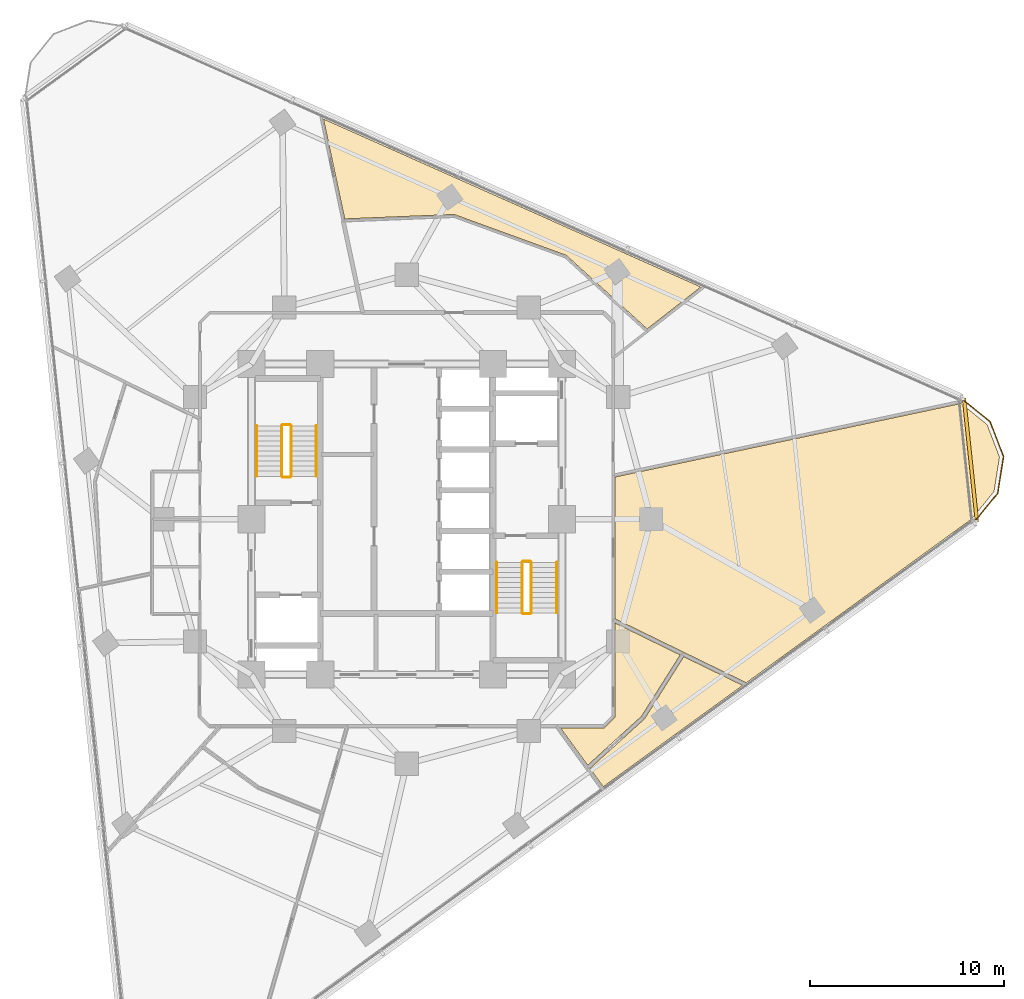
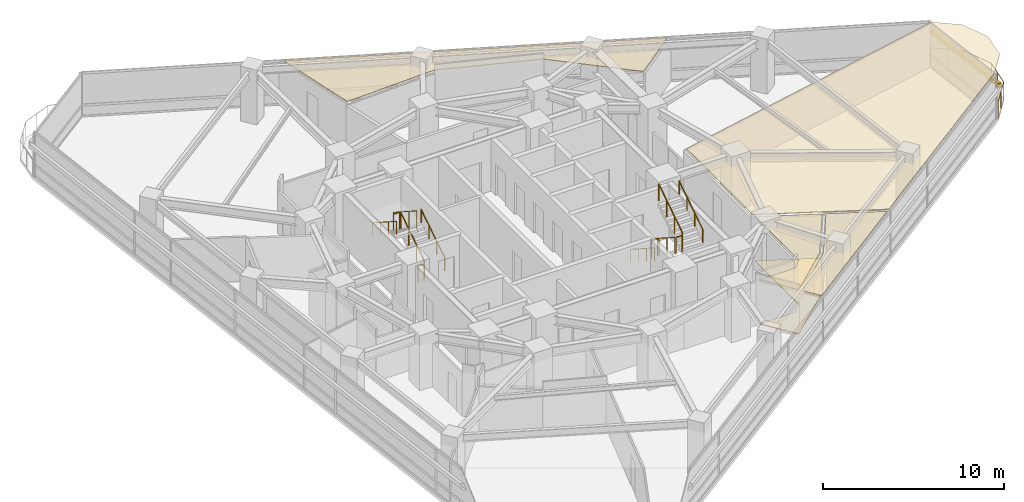
# One storey, part 13 of 14: 13 railings, 5 coverings, 1 shading device.
"""IFC4 building model written with IfcOpenShell, lengths in metres."""

from ifc_helpers import new_model, si_unit, direction, frame, origin, origin_2d, place, context, subcontext, project, spatial, polyline, rectangle, circle, outline, extrude, material, layer, layer_set, type_object, element, save


model = new_model("IFC4")

# Units and contexts
model_context = context("Model", 3, precision=1e-05, world=origin(), true_north=direction((0.0, 1.0)))
body_context = subcontext(model_context, "Body", "Model", "MODEL_VIEW")
ifc_project = project(units=[si_unit("LENGTHUNIT", "METRE"), si_unit("AREAUNIT", "SQUARE_METRE"), si_unit("VOLUMEUNIT", "CUBIC_METRE"), si_unit("PLANEANGLEUNIT", "RADIAN"), si_unit("MASSUNIT", "GRAM", prefix="KILO")], contexts=[model_context])

# Site, building, storey
site_placement = place(None, origin())
site = spatial("IfcSite", under=ifc_project, at=site_placement, CompositionType="ELEMENT")
building_placement = place(site_placement, origin())
building = spatial("IfcBuilding", under=site, at=building_placement, Name="Terralouvre Media Tower", CompositionType="ELEMENT")
storey_placement = place(building_placement, frame((0.0, 0.0, 173.10009765625)))
storey = spatial("IfcBuildingStorey", under=building, at=storey_placement, Name="L44", CompositionType="ELEMENT", Elevation=173.10009765625)

# Coverings
ifc_material_1 = material(Name="Resilient elastomer acoustic broadcast studio flooring")
ifc_layer_1 = layer(ifc_material_1, 0.050048828125, Name="Broadcast Studio Acoustic Floating Floor FL-AC1")
ifc_layer_set_1 = layer_set([ifc_layer_1], Name="Resilient elastomer acoustic broadcast studio flooring")
covering_type_1 = type_object("IfcCoveringType", Name="Broadcast Studio Acoustic Floating Floor FL-AC1", PredefinedType="FLOORING", material=ifc_layer_set_1)
covering_1_placement = place(storey_placement, frame((0.0, 0.0, 0.0), z_axis=(0.0, 0.0, 1.0), x_axis=(0.809016994375, 0.587785252292, 0.0)))
element("IfcCovering", 1, at=covering_1_placement, inside=storey, type_object=covering_type_1, Name="L44 Media Reference Library 5 Acoustic Floating Floor", PredefinedType="FLOORING", context=body_context, shape_type="SweptSolid", body=[
    extrude(outline(polyline([(3.822265625, -15.329345703125), (7.2998046875, -13.942626953125), (5.5498046875, -10.650146484375), (2.73095703125, -14.5302734375), (2.724853515625, -14.537841796875), (2.718017578125, -14.544921875), (2.71044921875, -14.55126953125), (2.7021484375, -14.556640625), (2.693603515625, -14.561279296875), (2.6845703125, -14.565185546875), (2.67529296875, -14.568115234375), (2.665771484375, -14.570068359375), (1.96728515625, -14.680908203125), (1.95751953125, -14.681884765625), (1.94775390625, -14.681884765625), (1.93798828125, -14.68115234375), (1.92822265625, -14.67919921875), (1.918701171875, -14.676513671875), (1.90966796875, -14.6728515625), (1.901123046875, -14.668212890625), (1.892822265625, -14.662841796875), (0.100341796875, -13.360595703125), (0.10009765625, -15.737548828125), (3.822265625, -15.329345703125)])), origin(), (0.0, 0.0, 1.0), 0.0498046875),
])
ifc_material_2 = material(Name="Perforated aluminium acoustic ceiling baffle", Category="aluminium")
ifc_layer_2 = layer(ifc_material_2, 0.0400390625, Name="Perforated Acoustic Metal Tile Ceiling CL-AC1")
ifc_layer_set_2 = layer_set([ifc_layer_2], Name="Perforated aluminium acoustic ceiling baffle")
covering_type_2 = type_object("IfcCoveringType", Name="Perforated Acoustic Metal Tile Ceiling CL-AC1", PredefinedType="CEILING", material=ifc_layer_set_2)
covering_2_placement = place(storey_placement, frame((0.0, 0.0, 2.97998046875), z_axis=(0.0, 0.0, 1.0), x_axis=(0.809016994375, 0.587785252292, 0.0)))
element("IfcCovering", 2, at=covering_2_placement, inside=storey, type_object=covering_type_2, Name="L44 Media Reference Library 5 Acoustic Ceiling", PredefinedType="CEILING", context=body_context, shape_type="SweptSolid", body=[
    extrude(outline(polyline([(3.822265625, -15.329345703125), (7.2998046875, -13.942626953125), (5.5498046875, -10.650146484375), (2.73095703125, -14.5302734375), (2.724853515625, -14.537841796875), (2.718017578125, -14.544921875), (2.71044921875, -14.55126953125), (2.7021484375, -14.556640625), (2.693603515625, -14.561279296875), (2.6845703125, -14.565185546875), (2.67529296875, -14.568115234375), (2.665771484375, -14.570068359375), (1.96728515625, -14.680908203125), (1.95751953125, -14.681884765625), (1.94775390625, -14.681884765625), (1.93798828125, -14.68115234375), (1.92822265625, -14.67919921875), (1.918701171875, -14.676513671875), (1.90966796875, -14.6728515625), (1.901123046875, -14.668212890625), (1.892822265625, -14.662841796875), (0.100341796875, -13.360595703125), (0.10009765625, -15.737548828125), (3.822265625, -15.329345703125)])), origin(), (0.0, 0.0, 1.0), 0.0400390625),
])
covering_3_placement = place(storey_placement, frame((0.0, 0.0, 2.97998046875), z_axis=(0.0, 0.0, 1.0), x_axis=(0.809016994375, 0.587785252292, 0.0)))
element("IfcCovering", 3, at=covering_3_placement, inside=storey, type_object=covering_type_2, Name="L44 Periodicals Reading Club 6 Acoustic Ceiling", PredefinedType="CEILING", context=body_context, shape_type="SweptSolid", body=[
    extrude(outline(polyline([(3.8837890625, -15.520263671875), (3.875244140625, -15.523193359375), (3.866455078125, -15.525390625), (3.857421875, -15.52685546875), (0.10009765625, -15.938720703125), (0.099609375, -17.105712890625), (8.98193359375, -17.10498046875), (7.394287109375, -14.1201171875), (3.8837890625, -15.520263671875)])), origin(), (0.0, 0.0, 1.0), 0.0400390625),
])
covering_4_placement = place(storey_placement, frame((0.0, 0.0, 2.97998046875), z_axis=(0.0, 0.0, 1.0), x_axis=(0.809016994375, 0.587785252292, 0.0)))
element("IfcCovering", 4, at=covering_4_placement, inside=storey, type_object=covering_type_2, Name="L44 Faculty Consultation Office 7 Acoustic Ceiling", PredefinedType="CEILING", context=body_context, shape_type="SweptSolid", body=[
    extrude(outline(polyline([(5.6806640625, -10.47021484375), (7.52880859375, -13.947021484375), (9.208251953125, -17.10498046875), (23.571044921875, -17.105224609375), (25.335693359375, -16.63232421875), (26.60693359375, -15.36181640625), (27.072509765625, -13.6259765625), (26.626953125, -11.964599609375), (9.97998046875, -4.552490234375), (5.6806640625, -10.47021484375)])), origin(), (0.0, 0.0, 1.0), 0.0400390625),
])
covering_5_placement = place(storey_placement, frame((0.0, 0.0, 2.97998046875), z_axis=(0.0, 0.0, 1.0), x_axis=(0.809016994375, 0.587785252292, 0.0)))
element("IfcCovering", 5, at=covering_5_placement, inside=storey, type_object=covering_type_2, Name="L44 Student Project Breakout Room 9 Acoustic Ceiling", PredefinedType="CEILING", context=body_context, shape_type="SweptSolid", body=[
    extrude(outline(polyline([(11.195068359375, 11.288330078125), (11.203125, 11.28271484375), (11.210205078125, 11.276123046875), (11.216796875, 11.26904296875), (11.22265625, 11.26123046875), (14.64501953125, 6.1875), (14.650146484375, 6.17919921875), (14.654296875, 6.17041015625), (14.65771484375, 6.1611328125), (14.66015625, 6.15185546875), (15.795654296875, 0.65185546875), (19.30419921875, 0.7744140625), (8.6611328125, 19.20849609375), (6.521728515625, 14.4013671875), (11.195068359375, 11.288330078125)])), origin(), (0.0, 0.0, 1.0), 0.0400390625),
])

# Railings
ifc_material_3 = material(Name="Stainless steel 316 handrail and balustrade", Category="steel")
ifc_layer_3 = layer(ifc_material_3, 0.06005859375, Name="Roof Edge Safety Guardrail GR-ROOF1")
ifc_layer_set_3 = layer_set([ifc_layer_3], Name="Stainless steel 316 handrail and balustrade")
railing_type_1 = type_object("IfcRailingType", Name="Roof Edge Safety Guardrail GR-ROOF1", PredefinedType="GUARDRAIL", material=ifc_layer_set_3)
railing_1_placement = place(storey_placement, frame((29.261474609375, -0.144775390625, 0.0)))
element("IfcRailing", 6, at=railing_1_placement, inside=storey, type_object=railing_type_1, Name="L44 Wind-Corner Perimeter Safety Guardrail C1", PredefinedType="GUARDRAIL", context=body_context, shape_type="SweptSolid", body=[
    extrude(circle(Radius=0.02099609375, at=origin_2d()), frame((0.0, 0.0, 1.12890625), z_axis=(0.629487951206, 0.777010244004, 0.0), x_axis=(-0.777010244004, 0.629487951206, 0.0)), (0.0, 0.0, 1.0), 1.914794921875),
    extrude(circle(Radius=0.02099609375, at=origin_2d()), frame((1.205322265625, 1.48779296875, 1.12890625), z_axis=(0.156493053434, 0.987679059324, 0.0), x_axis=(-0.987679059324, 0.156493053434, 0.0)), (0.0, 0.0, 1.0), 1.914306640625),
    extrude(circle(Radius=0.02099609375, at=origin_2d()), frame((1.5048828125, 3.37841796875, 1.12890625), z_axis=(-0.358380762009, 0.933575508152, 0.0), x_axis=(-0.933575508152, -0.358380762009, 0.0)), (0.0, 0.0, 1.0), 1.914306640625),
    extrude(circle(Radius=0.02099609375, at=origin_2d()), frame((0.81884765625, 5.16552734375, 1.12890625), z_axis=(-0.777298317119, 0.629132200896, 0.0), x_axis=(-0.629132200896, -0.777298317119, 0.0)), (0.0, 0.0, 1.0), 1.914794921875),
    extrude(circle(Radius=0.01904296875, at=origin_2d()), origin(), (0.0, 0.0, 1.0), 1.10791015625),
    extrude(circle(Radius=0.01904296875, at=origin_2d()), frame((0.6025390625, 0.743896484375, 0.0)), (0.0, 0.0, 1.0), 1.10791015625),
    extrude(circle(Radius=0.01904296875, at=origin_2d()), frame((1.205322265625, 1.48779296875, 0.0)), (0.0, 0.0, 1.0), 1.10791015625),
    extrude(circle(Radius=0.01904296875, at=origin_2d()), frame((1.35498046875, 2.43310546875, 0.0)), (0.0, 0.0, 1.0), 1.10791015625),
    extrude(circle(Radius=0.01904296875, at=origin_2d()), frame((1.5048828125, 3.37841796875, 0.0)), (0.0, 0.0, 1.0), 1.10791015625),
    extrude(circle(Radius=0.01904296875, at=origin_2d()), frame((1.161865234375, 4.27197265625, 0.0)), (0.0, 0.0, 1.0), 1.10791015625),
    extrude(circle(Radius=0.01904296875, at=origin_2d()), frame((0.81884765625, 5.16552734375, 0.0)), (0.0, 0.0, 1.0), 1.10791015625),
    extrude(circle(Radius=0.01904296875, at=origin_2d()), frame((0.07470703125, 5.767822265625, 0.0)), (0.0, 0.0, 1.0), 1.10791015625),
    extrude(circle(Radius=0.01904296875, at=origin_2d()), frame((-0.66943359375, 6.3701171875, 0.0)), (0.0, 0.0, 1.0), 1.10791015625),
])
ifc_material_4 = material(Name="Stainless steel 316 handrail and balustrade", Category="steel")
ifc_layer_4 = layer(ifc_material_4, 0.050048828125, Name="Stair Flight Wall Handrail HR-INT1")
ifc_layer_set_4 = layer_set([ifc_layer_4], Name="Stainless steel 316 handrail and balustrade")
railing_type_2 = type_object("IfcRailingType", Name="Stair Flight Wall Handrail HR-INT1", PredefinedType="HANDRAIL", material=ifc_layer_set_4)
railing_2_placement = place(storey_placement, frame((-4.64990234375, 2.219970703125, 0.16796875)))
element("IfcRailing", 7, at=railing_2_placement, inside=storey, type_object=railing_type_2, Name="L44 ST-01 stair handrail 1", PredefinedType="HANDRAIL", context=body_context, shape_type="SweptSolid", body=[
    extrude(circle(Radius=0.02392578125, at=origin_2d()), frame((0.0, 0.0, 0.8759765625), z_axis=(0.0, 0.839648411786, 0.543130320075), x_axis=(-1.0, 0.0, 0.0)), (0.0, 0.0, 1.0), 3.0966796875),
    extrude(circle(Radius=0.02099609375, at=origin_2d()), origin(), (0.0, 0.0, 1.0), 0.851806640625),
    extrude(circle(Radius=0.02099609375, at=origin_2d()), frame((0.0, 0.86669921875, 0.560546875)), (0.0, 0.0, 1.0), 0.851806640625),
    extrude(circle(Radius=0.02099609375, at=origin_2d()), frame((0.0, 1.7333984375, 1.121337890625)), (0.0, 0.0, 1.0), 0.851806640625),
    extrude(circle(Radius=0.02099609375, at=origin_2d()), frame((0.0, 2.60009765625, 1.681884765625)), (0.0, 0.0, 1.0), 0.851806640625),
])
for number, where, name in (
    (8, (-7.72998046875, 4.820068359375, 2.01806640625), "L44 ST-01 stair handrail 2"),
    (9, (4.64990234375, -2.219970703125, 0.16796875), "L44 ST-02 stair handrail 1"),
):
    element("IfcRailing", number, at=place(storey_placement, frame(where)), inside=storey, type_object=railing_type_2, Name=name, PredefinedType="HANDRAIL", context=body_context, shape_type="SweptSolid", body=[
        extrude(circle(Radius=0.02392578125, at=origin_2d()), frame((0.0, 0.0, 0.8759765625), z_axis=(0.0, -0.839648411786, 0.543130320075), x_axis=(1.0, 0.0, 0.0)), (0.0, 0.0, 1.0), 3.0966796875),
        extrude(circle(Radius=0.02099609375, at=origin_2d()), origin(), (0.0, 0.0, 1.0), 0.851806640625),
        extrude(circle(Radius=0.02099609375, at=origin_2d()), frame((0.0, -0.86669921875, 0.560546875)), (0.0, 0.0, 1.0), 0.851806640625),
        extrude(circle(Radius=0.02099609375, at=origin_2d()), frame((0.0, -1.7333984375, 1.121337890625)), (0.0, 0.0, 1.0), 0.851806640625),
        extrude(circle(Radius=0.02099609375, at=origin_2d()), frame((0.0, -2.60009765625, 1.681884765625)), (0.0, 0.0, 1.0), 0.851806640625),
    ])
railing_3_placement = place(storey_placement, frame((7.72998046875, -4.820068359375, 2.01806640625)))
element("IfcRailing", 10, at=railing_3_placement, inside=storey, type_object=railing_type_2, Name="L44 ST-02 stair handrail 2", PredefinedType="HANDRAIL", context=body_context, shape_type="SweptSolid", body=[
    extrude(circle(Radius=0.02392578125, at=origin_2d()), frame((0.0, 0.0, 0.8759765625), z_axis=(0.0, 0.839648411786, 0.543130320075), x_axis=(-1.0, 0.0, 0.0)), (0.0, 0.0, 1.0), 3.0966796875),
    extrude(circle(Radius=0.02099609375, at=origin_2d()), origin(), (0.0, 0.0, 1.0), 0.851806640625),
    extrude(circle(Radius=0.02099609375, at=origin_2d()), frame((0.0, 0.86669921875, 0.560546875)), (0.0, 0.0, 1.0), 0.851806640625),
    extrude(circle(Radius=0.02099609375, at=origin_2d()), frame((0.0, 1.7333984375, 1.121337890625)), (0.0, 0.0, 1.0), 0.851806640625),
    extrude(circle(Radius=0.02099609375, at=origin_2d()), frame((0.0, 2.60009765625, 1.681884765625)), (0.0, 0.0, 1.0), 0.851806640625),
])
ifc_material_5 = material(Name="Stainless steel 316 handrail and balustrade", Category="steel")
ifc_layer_5 = layer(ifc_material_5, 0.050048828125, Name="Stairwell Safety Guardrail GR-INT1")
ifc_layer_set_5 = layer_set([ifc_layer_5], Name="Stainless steel 316 handrail and balustrade")
railing_type_3 = type_object("IfcRailingType", Name="Stairwell Safety Guardrail GR-INT1", PredefinedType="GUARDRAIL", material=ifc_layer_set_5)
railing_4_placement = place(storey_placement, frame((-5.949951171875, 2.219970703125, 0.16796875)))
element("IfcRailing", 11, at=railing_4_placement, inside=storey, type_object=railing_type_3, Name="L44 ST-01 stair guard 1", PredefinedType="GUARDRAIL", context=body_context, shape_type="SweptSolid", body=[
    extrude(circle(Radius=0.02392578125, at=origin_2d()), frame((0.0, 0.0, 1.1259765625), z_axis=(0.0, 0.839648411786, 0.543130320075), x_axis=(-1.0, 0.0, 0.0)), (0.0, 0.0, 1.0), 3.0966796875),
    extrude(circle(Radius=0.02099609375, at=origin_2d()), origin(), (0.0, 0.0, 1.0), 1.101806640625),
    extrude(circle(Radius=0.02099609375, at=origin_2d()), frame((0.0, 0.86669921875, 0.560546875)), (0.0, 0.0, 1.0), 1.101806640625),
    extrude(circle(Radius=0.02099609375, at=origin_2d()), frame((0.0, 1.7333984375, 1.121337890625)), (0.0, 0.0, 1.0), 1.101806640625),
    extrude(circle(Radius=0.02099609375, at=origin_2d()), frame((0.0, 2.60009765625, 1.681884765625)), (0.0, 0.0, 1.0), 1.101806640625),
])
railing_5_placement = place(storey_placement, frame((-6.0, 4.8701171875, 1.849853515625)))
element("IfcRailing", 12, at=railing_5_placement, inside=storey, type_object=railing_type_3, Name="L44 ST-01 stair guard 2", PredefinedType="GUARDRAIL", context=body_context, shape_type="SweptSolid", body=[
    extrude(circle(Radius=0.02392578125, at=origin_2d()), frame((0.0, 0.0, 1.1259765625), z_axis=(-1.0, 0.0, 0.0), x_axis=(0.0, -1.0, 0.0)), (0.0, 0.0, 1.0), 0.3798828125),
    extrude(circle(Radius=0.02099609375, at=origin_2d()), origin(), (0.0, 0.0, 1.0), 1.101806640625),
    extrude(circle(Radius=0.02099609375, at=origin_2d()), frame((-0.3798828125, 0.0, 0.0)), (0.0, 0.0, 1.0), 1.101806640625),
])
railing_6_placement = place(storey_placement, frame((-6.429931640625, 4.820068359375, 2.01806640625)))
element("IfcRailing", 13, at=railing_6_placement, inside=storey, type_object=railing_type_3, Name="L44 ST-01 stair guard 3", PredefinedType="GUARDRAIL", context=body_context, shape_type="SweptSolid", body=[
    extrude(circle(Radius=0.02392578125, at=origin_2d()), frame((0.0, 0.0, 1.1259765625), z_axis=(0.0, -0.839648411786, 0.543130320075), x_axis=(1.0, 0.0, 0.0)), (0.0, 0.0, 1.0), 3.0966796875),
    extrude(circle(Radius=0.02099609375, at=origin_2d()), origin(), (0.0, 0.0, 1.0), 1.101806640625),
    extrude(circle(Radius=0.02099609375, at=origin_2d()), frame((0.0, -0.86669921875, 0.560546875)), (0.0, 0.0, 1.0), 1.101806640625),
    extrude(circle(Radius=0.02099609375, at=origin_2d()), frame((0.0, -1.7333984375, 1.121337890625)), (0.0, 0.0, 1.0), 1.101806640625),
    extrude(circle(Radius=0.02099609375, at=origin_2d()), frame((0.0, -2.60009765625, 1.681884765625)), (0.0, 0.0, 1.0), 1.101806640625),
])
railing_7_placement = place(storey_placement, frame((-6.0, 2.169921875, 0.0)))
element("IfcRailing", 14, at=railing_7_placement, inside=storey, type_object=railing_type_3, Name="L44 ST-01 stair guard 4", PredefinedType="GUARDRAIL", context=body_context, shape_type="SweptSolid", body=[
    extrude(circle(Radius=0.02392578125, at=origin_2d()), frame((0.0, 0.0, 1.1259765625), z_axis=(-1.0, 0.0, 0.0), x_axis=(0.0, -1.0, 0.0)), (0.0, 0.0, 1.0), 0.3798828125),
    extrude(circle(Radius=0.02099609375, at=origin_2d()), origin(), (0.0, 0.0, 1.0), 1.101806640625),
    extrude(circle(Radius=0.02099609375, at=origin_2d()), frame((-0.3798828125, 0.0, 0.0)), (0.0, 0.0, 1.0), 1.101806640625),
])
railing_8_placement = place(storey_placement, frame((5.949951171875, -2.219970703125, 0.16796875)))
element("IfcRailing", 15, at=railing_8_placement, inside=storey, type_object=railing_type_3, Name="L44 ST-02 stair guard 1", PredefinedType="GUARDRAIL", context=body_context, shape_type="SweptSolid", body=[
    extrude(circle(Radius=0.02392578125, at=origin_2d()), frame((0.0, 0.0, 1.1259765625), z_axis=(0.0, -0.839648411786, 0.543130320075), x_axis=(1.0, 0.0, 0.0)), (0.0, 0.0, 1.0), 3.0966796875),
    extrude(circle(Radius=0.02099609375, at=origin_2d()), origin(), (0.0, 0.0, 1.0), 1.101806640625),
    extrude(circle(Radius=0.02099609375, at=origin_2d()), frame((0.0, -0.86669921875, 0.560546875)), (0.0, 0.0, 1.0), 1.101806640625),
    extrude(circle(Radius=0.02099609375, at=origin_2d()), frame((0.0, -1.7333984375, 1.121337890625)), (0.0, 0.0, 1.0), 1.101806640625),
    extrude(circle(Radius=0.02099609375, at=origin_2d()), frame((0.0, -2.60009765625, 1.681884765625)), (0.0, 0.0, 1.0), 1.101806640625),
])
railing_9_placement = place(storey_placement, frame((6.0, -4.8701171875, 1.849853515625)))
element("IfcRailing", 16, at=railing_9_placement, inside=storey, type_object=railing_type_3, Name="L44 ST-02 stair guard 2", PredefinedType="GUARDRAIL", context=body_context, shape_type="SweptSolid", body=[
    extrude(circle(Radius=0.02392578125, at=origin_2d()), frame((0.0, 0.0, 1.1259765625), z_axis=(1.0, 0.0, 0.0), x_axis=(0.0, 1.0, 0.0)), (0.0, 0.0, 1.0), 0.3798828125),
    extrude(circle(Radius=0.02099609375, at=origin_2d()), origin(), (0.0, 0.0, 1.0), 1.101806640625),
    extrude(circle(Radius=0.02099609375, at=origin_2d()), frame((0.3798828125, 0.0, 0.0)), (0.0, 0.0, 1.0), 1.101806640625),
])
railing_10_placement = place(storey_placement, frame((6.429931640625, -4.820068359375, 2.01806640625)))
element("IfcRailing", 17, at=railing_10_placement, inside=storey, type_object=railing_type_3, Name="L44 ST-02 stair guard 3", PredefinedType="GUARDRAIL", context=body_context, shape_type="SweptSolid", body=[
    extrude(circle(Radius=0.02392578125, at=origin_2d()), frame((0.0, 0.0, 1.1259765625), z_axis=(0.0, 0.839648411786, 0.543130320075), x_axis=(-1.0, 0.0, 0.0)), (0.0, 0.0, 1.0), 3.0966796875),
    extrude(circle(Radius=0.02099609375, at=origin_2d()), origin(), (0.0, 0.0, 1.0), 1.101806640625),
    extrude(circle(Radius=0.02099609375, at=origin_2d()), frame((0.0, 0.86669921875, 0.560546875)), (0.0, 0.0, 1.0), 1.101806640625),
    extrude(circle(Radius=0.02099609375, at=origin_2d()), frame((0.0, 1.7333984375, 1.121337890625)), (0.0, 0.0, 1.0), 1.101806640625),
    extrude(circle(Radius=0.02099609375, at=origin_2d()), frame((0.0, 2.60009765625, 1.681884765625)), (0.0, 0.0, 1.0), 1.101806640625),
])
railing_11_placement = place(storey_placement, frame((6.0, -2.169921875, 0.0)))
element("IfcRailing", 18, at=railing_11_placement, inside=storey, type_object=railing_type_3, Name="L44 ST-02 stair guard 4", PredefinedType="GUARDRAIL", context=body_context, shape_type="SweptSolid", body=[
    extrude(circle(Radius=0.02392578125, at=origin_2d()), frame((0.0, 0.0, 1.1259765625), z_axis=(1.0, 0.0, 0.0), x_axis=(0.0, 1.0, 0.0)), (0.0, 0.0, 1.0), 0.3798828125),
    extrude(circle(Radius=0.02099609375, at=origin_2d()), origin(), (0.0, 0.0, 1.0), 1.101806640625),
    extrude(circle(Radius=0.02099609375, at=origin_2d()), frame((0.3798828125, 0.0, 0.0)), (0.0, 0.0, 1.0), 1.101806640625),
])

# Shading device
ifc_material_6 = material(Name="Extruded terracotta baguette sunshade louvres", Category="masonry")
shading_device_type = type_object("IfcShadingDeviceType", Name="Terracotta Baguette Sunshade Louvre Screen TB-LV1", PredefinedType="USERDEFINED", material=ifc_material_6)
shading_device_placement = place(storey_placement, frame((29.060791015625, 3.054443359375, 2.02392578125), z_axis=(0.0, 0.0, 1.0), x_axis=(-0.10452850319, 0.994521891172, 0.0)))
element("IfcShadingDevice", 19, at=shading_device_placement, inside=storey, type_object=shading_device_type, Name="CW-L44-C1 Terracotta Baguette Sunshade Louvre", ObjectType="BAGUETTE", PredefinedType="USERDEFINED", context=body_context, shape_type="SweptSolid", body=[
    extrude(rectangle(XDim=6.40869140625, YDim=0.179931640625, at=origin_2d()), origin(), (0.0, 0.0, 1.0), 0.280029296875),
])

save(model, "model.ifc")
